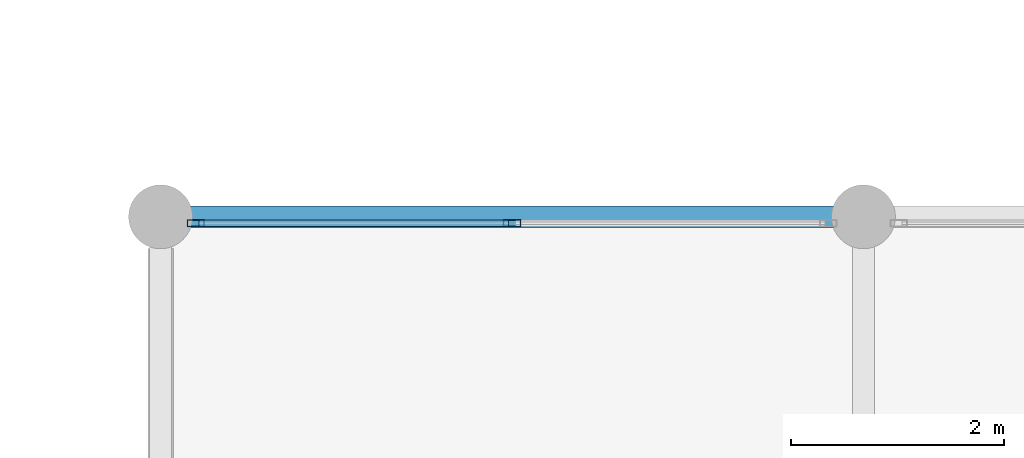
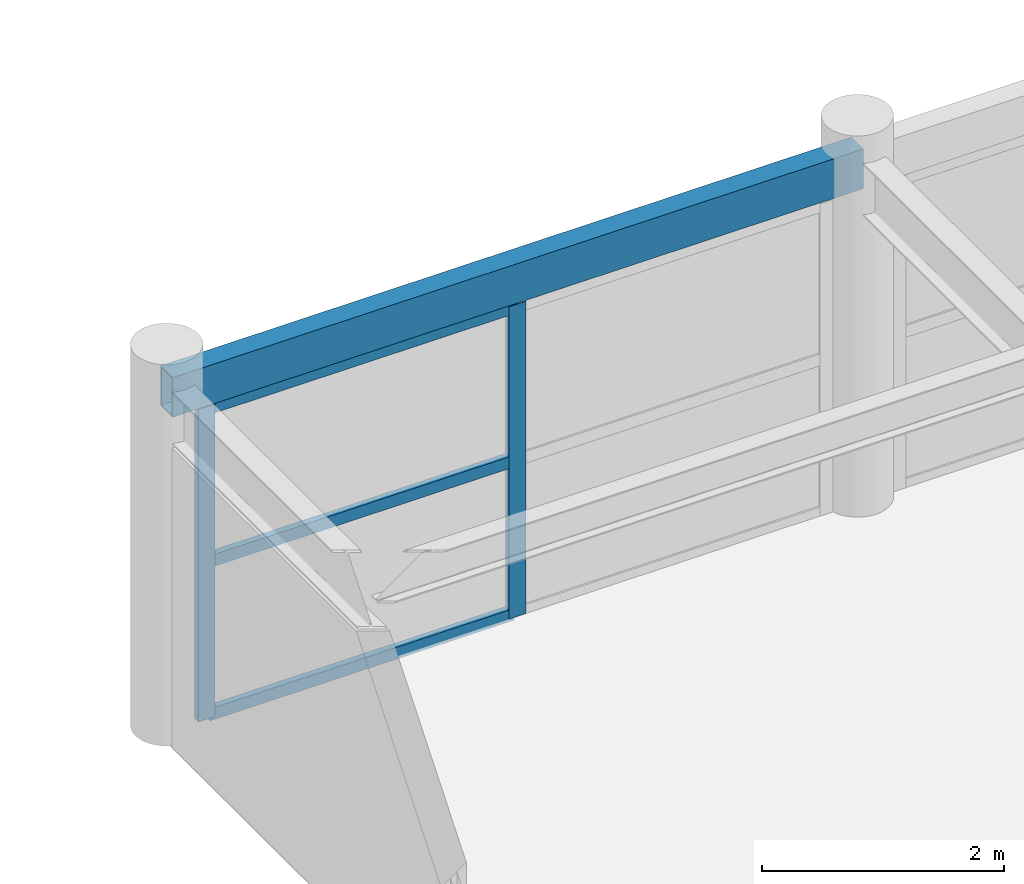
# One storey, part 5 of 28: 5 members, 1 beam, 1 element without a shape of its own.
"""IFC4 building model written with IfcOpenShell, lengths in metres."""

from ifc_helpers import new_model, si_unit, direction, frame, origin, origin_2d, place, context, subcontext, project, spatial, hollow_rectangle, extrude, material, material_profile, profile_set, type_object, element, aggregate, save


model = new_model("IFC4")

# Units and contexts
model_context = context("Model", 3, precision=1e-05, world=origin(), true_north=direction((0.0, 1.0)))
body_context = subcontext(model_context, "Body", "Model", "MODEL_VIEW")
ifc_project = project(units=[si_unit("LENGTHUNIT", "METRE"), si_unit("AREAUNIT", "SQUARE_METRE"), si_unit("VOLUMEUNIT", "CUBIC_METRE"), si_unit("PLANEANGLEUNIT", "RADIAN"), si_unit("MASSUNIT", "GRAM", prefix="KILO")], contexts=[model_context])

# Site, building, storey
site_placement = place(None, origin())
site = spatial("IfcSite", under=ifc_project, at=site_placement, CompositionType="ELEMENT")
building_placement = place(site_placement, origin())
building = spatial("IfcBuilding", under=site, at=building_placement, Name="Karori Crest Natural Sciences Institute", CompositionType="ELEMENT")
storey_placement = place(building_placement, frame((0.0, 0.0, 34.300048828125)))
storey = spatial("IfcBuildingStorey", under=building, at=storey_placement, Name="L08", CompositionType="ELEMENT", Elevation=34.300048828125)

# Beam
ifc_material_1 = material(Name="Hollow structural steel AS/NZS 1163 Grade C350", Category="steel")
ifc_material_profile_1 = material_profile(ifc_material_1, hollow_rectangle(XDim=0.199951171875, YDim=0.39990234375, WallThickness=0.012451171875, at=origin_2d()), Name="RHS400x200x12.5")
ifc_profile_set_1 = profile_set([ifc_material_profile_1], Name="Hollow structural steel AS/NZS 1163 Grade C350")
beam_type = type_object("IfcBeamType", Name="BT-14", PredefinedType="SPANDREL", material=ifc_profile_set_1)
beam_placement = place(storey_placement, frame((103.60009765625, 20.60009765625, 3.369873046875), z_axis=(1.0, 0.0, 0.0), x_axis=(0.0, 1.0, 0.0)))
element("IfcBeam", 1, at=beam_placement, inside=storey, type_object=beam_type, Name="Beam B-2714", PredefinedType="SPANDREL", context=body_context, shape_type="SweptSolid", body=[
    extrude(hollow_rectangle(XDim=0.199951171875, YDim=0.39990234375, WallThickness=0.012451171875, at=origin_2d()), origin(), (0.0, 0.0, 1.0), 6.599853515625),
])

# Curtain wall, members
ifc_material_2 = material(Name="Anodised architectural aluminium 6063-T6", Category="aluminium")
curtain_wall_type = type_object("IfcCurtainWallType", Name="CWT-20", PredefinedType="NOTDEFINED", material=ifc_material_2)
curtain_wall_placement = place(storey_placement, origin())
curtain_wall = element("IfcCurtainWall", 2, at=curtain_wall_placement, inside=storey, type_object=curtain_wall_type, Name="Curtain wall CW-0365", PredefinedType="NOTDEFINED")
ifc_material_profile_2 = material_profile(ifc_material_2, hollow_rectangle(XDim=0.06494140625, YDim=0.159912109375, WallThickness=0.00390625, at=origin_2d()), Name="CWM160x65x4")
ifc_profile_set_2 = profile_set([ifc_material_profile_2], Name="Anodised architectural aluminium 6063-T6")
member_type_1 = type_object("IfcMemberType", Name="CWM-01", PredefinedType="MULLION", material=ifc_profile_set_2)
member_1_placement = place(storey_placement, frame((103.930419921875, 20.5400390625, 0.0), z_axis=(0.0, 0.0, 1.0), x_axis=(0.0, 1.0, 0.0)))
member_1 = element("IfcMember", 3, at=member_1_placement, type_object=member_type_1, Name="CW-0365 mullion 1", PredefinedType="MULLION", context=body_context, shape_type="SweptSolid", body=[
    extrude(hollow_rectangle(XDim=0.06494140625, YDim=0.159912109375, WallThickness=0.00390625, at=origin_2d()), origin(), (0.0, 0.0, 1.0), 3.155029296875),
])
member_2_placement = place(storey_placement, frame((106.89990234375, 20.5400390625, 0.0), z_axis=(0.0, 0.0, 1.0), x_axis=(0.0, 1.0, 0.0)))
member_2 = element("IfcMember", 4, at=member_2_placement, type_object=member_type_1, Name="CW-0365 mullion 2", PredefinedType="MULLION", context=body_context, shape_type="SweptSolid", body=[
    extrude(hollow_rectangle(XDim=0.06494140625, YDim=0.159912109375, WallThickness=0.00390625, at=origin_2d()), origin(), (0.0, 0.0, 1.0), 3.155029296875),
])
ifc_material_profile_3 = material_profile(ifc_material_2, hollow_rectangle(XDim=0.06005859375, YDim=0.1201171875, WallThickness=0.00390625, at=origin_2d()), Name="CWT120x60x4")
ifc_profile_set_3 = profile_set([ifc_material_profile_3], Name="Anodised architectural aluminium 6063-T6")
member_type_2 = type_object("IfcMemberType", Name="CWT-TR1", PredefinedType="USERDEFINED", material=ifc_profile_set_3)
member_3_placement = place(storey_placement, frame((103.962890625, 20.5400390625, 0.030029296875), z_axis=(1.0, 0.0, 0.0), x_axis=(0.0, 1.0, 0.0)))
member_3 = element("IfcMember", 5, at=member_3_placement, type_object=member_type_2, Name="CW-0365 transom 1.1", ObjectType="TRANSOM", PredefinedType="USERDEFINED", context=body_context, shape_type="SweptSolid", body=[
    extrude(hollow_rectangle(XDim=0.06005859375, YDim=0.1201171875, WallThickness=0.00390625, at=origin_2d()), origin(), (0.0, 0.0, 1.0), 2.904541015625),
])
member_4_placement = place(storey_placement, frame((103.962890625, 20.5400390625, 1.577392578125), z_axis=(1.0, 0.0, 0.0), x_axis=(0.0, 1.0, 0.0)))
member_4 = element("IfcMember", 6, at=member_4_placement, type_object=member_type_2, Name="CW-0365 transom 1.2", ObjectType="TRANSOM", PredefinedType="USERDEFINED", context=body_context, shape_type="SweptSolid", body=[
    extrude(hollow_rectangle(XDim=0.06005859375, YDim=0.1201171875, WallThickness=0.00390625, at=origin_2d()), origin(), (0.0, 0.0, 1.0), 2.904541015625),
])
member_5_placement = place(storey_placement, frame((103.962890625, 20.5400390625, 3.125), z_axis=(1.0, 0.0, 0.0), x_axis=(0.0, 1.0, 0.0)))
member_5 = element("IfcMember", 7, at=member_5_placement, type_object=member_type_2, Name="CW-0365 transom 1.3", ObjectType="TRANSOM", PredefinedType="USERDEFINED", context=body_context, shape_type="SweptSolid", body=[
    extrude(hollow_rectangle(XDim=0.06005859375, YDim=0.1201171875, WallThickness=0.00390625, at=origin_2d()), origin(), (0.0, 0.0, 1.0), 2.904541015625),
])
aggregate(curtain_wall, [member_1, member_2, member_3, member_4, member_5])

save(model, "model.ifc")
